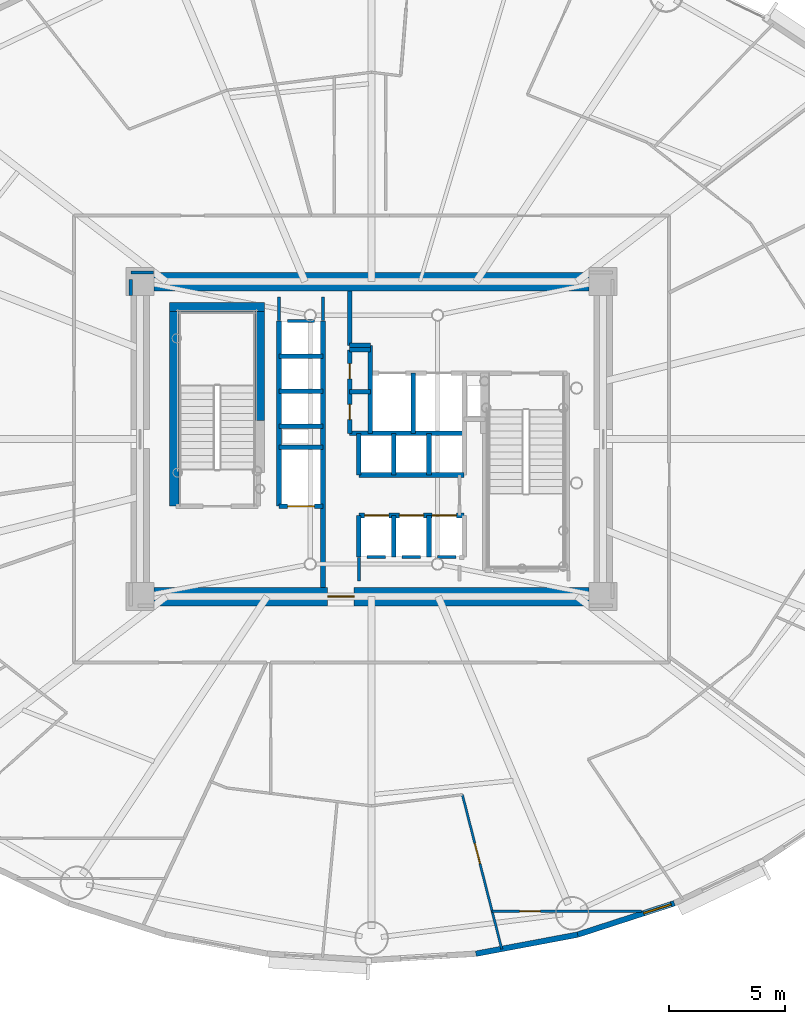
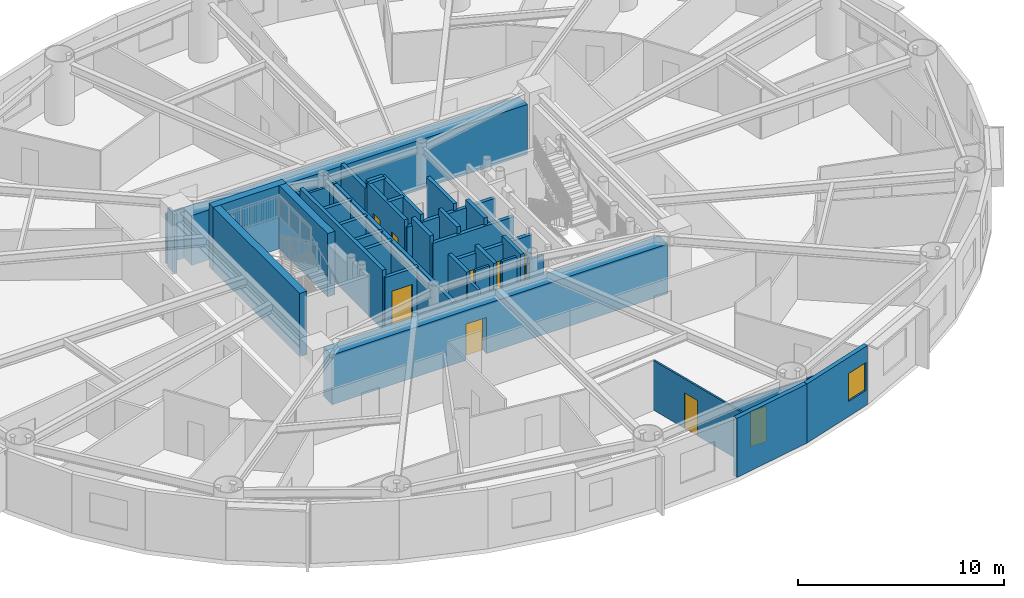
# One storey, part 8 of 16: 41 walls, 9 doors, 1 window, 10 openings.
"""IFC4 building model written with IfcOpenShell, lengths in metres."""

from ifc_helpers import new_model, si_unit, direction, frame, frame_2d, origin, origin_2d, place, context, subcontext, project, spatial, rectangle, extrude, source, transform, mapped, material, layer, layer_set, type_object, element, fill, save


model = new_model("IFC4")

# Units and contexts
model_context = context("Model", 3, precision=1e-05, world=origin(), true_north=direction((0.0, 1.0)))
body_context = subcontext(model_context, "Body", "Model", "MODEL_VIEW")
ifc_project = project(units=[si_unit("LENGTHUNIT", "METRE"), si_unit("AREAUNIT", "SQUARE_METRE"), si_unit("VOLUMEUNIT", "CUBIC_METRE"), si_unit("PLANEANGLEUNIT", "RADIAN"), si_unit("MASSUNIT", "GRAM", prefix="KILO")], contexts=[model_context])

# Site, building, storey
site_placement = place(None, origin())
site = spatial("IfcSite", under=ifc_project, at=site_placement, CompositionType="ELEMENT")
building_placement = place(site_placement, origin())
building = spatial("IfcBuilding", under=site, at=building_placement, Name="Linh Dai School and Residence Tower", CompositionType="ELEMENT")
storey_placement = place(building_placement, frame((0.0, 0.0, 138.449951171875)))
storey = spatial("IfcBuildingStorey", under=building, at=storey_placement, Name="L33", CompositionType="ELEMENT", Elevation=138.449951171875)

# Wall
ifc_material_1 = material(Name="Precast Concrete B45 (C35/45)", Category="concrete")
ifc_layer_1 = layer(ifc_material_1, 0.239990234375)
ifc_layer_set_1 = layer_set([ifc_layer_1], Name="Precast Concrete B45 (C35/45)")
wall_type_1 = type_object("IfcWallType", Name="EW-TC-240", PredefinedType="SOLIDWALL", material=ifc_layer_set_1)
wall_1_placement = place(storey_placement, frame((44.899658203125, 5.5986328125, 0.0), z_axis=(0.0, 0.0, 1.0), x_axis=(-0.982789252177, -0.184730305596, 0.0)))
element("IfcWall", 1, at=wall_1_placement, inside=storey, type_object=wall_type_1, Name="L33 Terracotta Exterior Wall 32", PredefinedType="SOLIDWALL", context=body_context, shape_type="SweptSolid", body=[
    extrude(rectangle(XDim=4.470947265625, YDim=0.239990234375, at=frame_2d((2.2353515625, 0.0))), origin(), (0.0, 0.0, 1.0), 3.5),
])

# Wall, opening, window
wall_2_placement = place(storey_placement, frame((49.073974609375, 6.95263671875, 0.0), z_axis=(0.0, 0.0, 1.0), x_axis=(-0.951211346073, -0.308540070495, 0.0)))
wall_2 = element("IfcWall", 2, at=wall_2_placement, inside=storey, type_object=wall_type_1, Name="L33 Terracotta Exterior Wall 33", PredefinedType="SOLIDWALL", context=body_context, shape_type="SweptSolid", body=[
    extrude(rectangle(XDim=4.388427734375, YDim=0.239990234375, at=frame_2d((2.1943359375, 0.0))), origin(), (0.0, 0.0, 1.0), 3.5),
])
opening_1_placement = place(wall_2_placement, frame((0.139892578125, 0.0, 0.89990234375)))
opening_1 = element("IfcOpeningElement", 3, at=opening_1_placement, cuts=wall_2, Name="Opening W3", PredefinedType="OPENING", context=body_context, shape_type="SweptSolid", body=[
    extrude(rectangle(XDim=1.25, YDim=1.64990234375, at=origin_2d()), frame((0.625, 0.1298828125, 0.824951171875), z_axis=(0.0, -1.0, 0.0), x_axis=(1.0, 0.0, 0.0)), (0.0, 0.0, 1.0), 0.260009765625),
])
ifc_material_2 = material(Name="Double Low-E Insulated Glazing", Category="glass")
window_type = type_object("IfcWindowType", Name="WN-RES-1250x1650", PartitioningType="SINGLE_PANEL", PredefinedType="WINDOW", material=ifc_material_2)
shared_shape_1 = source(origin(), body_context, "Body", "SweptSolid", [
    extrude(rectangle(XDim=1.25, YDim=1.64990234375, at=origin_2d()), frame((0.625, 0.030029296875, 0.824951171875), z_axis=(0.0, -1.0, 0.0), x_axis=(1.0, 0.0, 0.0)), (0.0, 0.0, 1.0), 0.06005859375),
])
window_placement = place(opening_1_placement, origin())
window = element("IfcWindow", 4, at=window_placement, inside=storey, type_object=window_type, Name="L33 Dwelling Window U3302-LIV", OverallHeight=1.64990234375, OverallWidth=1.25, PartitioningType="SINGLE_PANEL", PredefinedType="WINDOW", context=body_context, shape_type="MappedRepresentation", body=[
    mapped(shared_shape_1, transform((0.0, 0.0, 0.0), x_axis=(1.0, 0.0, 0.0), y_axis=(0.0, 1.0, 0.0), z_axis=(0.0, 0.0, 1.0), scale=1.0)),
])
fill(opening_1, window)

# Walls
ifc_material_3 = material(Name="Autoclaved Aerated Concrete Blockwork", Category="masonry")
ifc_layer_2 = layer(ifc_material_3, 0.135009765625)
ifc_layer_set_2 = layer_set([ifc_layer_2], Name="Autoclaved Aerated Concrete Blockwork")
wall_type_2 = type_object("IfcWallType", Name="IW-CORR-135-EI90", PredefinedType="PARTITIONING", material=ifc_layer_set_2)
wall_3_placement = place(storey_placement, frame((36.60009765625, 21.89990234375, 0.0), z_axis=(0.0, 0.0, 1.0), x_axis=(-1.0, 0.0, 0.0)))
element("IfcWall", 5, at=wall_3_placement, inside=storey, type_object=wall_type_2, Name="L33 Interior Partition Wall 091", PredefinedType="PARTITIONING", context=body_context, shape_type="SweptSolid", body=[
    extrude(rectangle(XDim=0.7900390625, YDim=0.135009765625, at=frame_2d((0.39501953125, 0.0))), origin(), (0.0, 0.0, 1.0), 3.5),
])
wall_4_placement = place(storey_placement, frame((38.1201171875, 21.89990234375, 0.0), z_axis=(0.0, 0.0, 1.0), x_axis=(-1.0, 0.0, 0.0)))
element("IfcWall", 6, at=wall_4_placement, inside=storey, type_object=wall_type_2, Name="L33 Interior Partition Wall 092", PredefinedType="PARTITIONING", context=body_context, shape_type="SweptSolid", body=[
    extrude(rectangle(XDim=0.800048828125, YDim=0.135009765625, at=frame_2d((0.39990234375, 0.0))), origin(), (0.0, 0.0, 1.0), 3.5),
])
wall_5_placement = place(storey_placement, frame((39.639892578125, 21.89990234375, 0.0), z_axis=(0.0, 0.0, 1.0), x_axis=(-1.0, 0.0, 0.0)))
element("IfcWall", 7, at=wall_5_placement, inside=storey, type_object=wall_type_2, Name="L33 Interior Partition Wall 093", PredefinedType="PARTITIONING", context=body_context, shape_type="SweptSolid", body=[
    extrude(rectangle(XDim=0.7998046875, YDim=0.135009765625, at=frame_2d((0.39990234375, 0.0))), origin(), (0.0, 0.0, 1.0), 3.0849609375),
])
wall_6_placement = place(storey_placement, frame((32.360107421875, 32.10009765625, 0.0), z_axis=(0.0, 0.0, 1.0), x_axis=(1.0, 0.0, 0.0)))
element("IfcWall", 8, at=wall_6_placement, inside=storey, type_object=wall_type_2, Name="L33 Interior Partition Wall 094", PredefinedType="PARTITIONING", context=body_context, shape_type="SweptSolid", body=[
    extrude(rectangle(XDim=1.179931640625, YDim=0.135009765625, at=frame_2d((0.58984375, 0.0))), origin(), (0.0, 0.0, 1.0), 3.0849609375),
])
wall_7_placement = place(storey_placement, frame((32.0, 33.139892578125, 0.0), z_axis=(0.0, 0.0, 1.0), x_axis=(0.0, -1.0, 0.0)))
element("IfcWall", 9, at=wall_7_placement, inside=storey, type_object=wall_type_2, Name="L33 Interior Partition Wall 096", PredefinedType="PARTITIONING", context=body_context, shape_type="SweptSolid", body=[
    extrude(rectangle(XDim=1.02978515625, YDim=0.135009765625, at=frame_2d((0.514892578125, 0.0))), origin(), (0.0, 0.0, 1.0), 3.03515625),
])
for number, where, z_axis, x_axis, name in (
    (10, (35.449951171875, 21.889892578125, 0.0), (0.0, 0.0, 1.0), (0.0, -1.0, 0.0), "L33 Interior Partition Wall 098"),
    (11, (33.89990234375, 32.110107421875, 0.0), (0.0, 0.0, 1.0), (0.0, 1.0, 0.0), "L33 Interior Partition Wall 099"),
):
    element("IfcWall", number, at=place(storey_placement, frame(where, z_axis=z_axis, x_axis=x_axis)), inside=storey, type_object=wall_type_2, Name=name, PredefinedType="PARTITIONING", context=body_context, shape_type="SweptSolid", body=[
        extrude(rectangle(XDim=1.02978515625, YDim=0.135009765625, at=frame_2d((0.514892578125, 0.0))), origin(), (0.0, 0.0, 1.0), 3.0849609375),
    ])
wall_8_placement = place(storey_placement, frame((26.590087890625, 34.199951171875, 0.0), z_axis=(0.0, 0.0, 1.0), x_axis=(-1.0, 0.0, 0.0)))
element("IfcWall", 12, at=wall_8_placement, inside=storey, type_object=wall_type_2, Name="L33 Interior Partition Wall 103", PredefinedType="PARTITIONING", context=body_context, shape_type="SweptSolid", body=[
    extrude(rectangle(XDim=0.989990234375, YDim=0.135009765625, at=frame_2d((0.4951171875, 0.0))), origin(), (0.0, 0.0, 1.0), 2.93505859375),
])
wall_9_placement = place(storey_placement, frame((25.60009765625, 33.892578125, 0.0), z_axis=(0.0, 0.0, 1.0), x_axis=(0.0, -1.0, 0.0)))
element("IfcWall", 13, at=wall_9_placement, inside=storey, type_object=wall_type_2, Name="L33 Interior Partition Wall 104", PredefinedType="PARTITIONING", context=body_context, shape_type="SweptSolid", body=[
    extrude(rectangle(XDim=0.6826171875, YDim=0.135009765625, at=frame_2d((0.34130859375, 0.0))), origin(), (0.0, 0.0, 1.0), 3.5),
])
ifc_material_4 = material(Name="Concrete B45 (C35/45)", Category="concrete")
ifc_layer_3 = layer(ifc_material_4, 0.199951171875)
ifc_layer_set_3 = layer_set([ifc_layer_3], Name="Concrete B45 (C35/45)")
wall_type_3 = type_object("IfcWallType", Name="IW-SHAFT-200-EI120", PredefinedType="PARTITIONING", material=ifc_layer_set_3)
wall_10_placement = place(storey_placement, frame((32.0, 24.10009765625, 0.0), z_axis=(0.0, 0.0, 1.0), x_axis=(0.0, 1.0, 0.0)))
element("IfcWall", 14, at=wall_10_placement, inside=storey, type_object=wall_type_3, Name="L33 Interior Partition Wall 028", PredefinedType="PARTITIONING", context=body_context, shape_type="SweptSolid", body=[
    extrude(rectangle(XDim=8.0, YDim=0.199951171875, at=frame_2d((4.0, 0.0))), origin(), (0.0, 0.0, 1.0), 3.5),
])

# Wall, opening, door
wall_11_placement = place(storey_placement, frame((32.0, 24.10009765625, 0.0), z_axis=(0.0, 0.0, 1.0), x_axis=(1.0, 0.0, 0.0)))
wall_11 = element("IfcWall", 15, at=wall_11_placement, inside=storey, type_object=wall_type_3, Name="L33 Interior Partition Wall 029", PredefinedType="PARTITIONING", context=body_context, shape_type="SweptSolid", body=[
    extrude(rectangle(XDim=1.89990234375, YDim=0.199951171875, at=frame_2d((0.949951171875, 0.0))), origin(), (0.0, 0.0, 1.0), 3.0849609375),
])
opening_2_placement = place(wall_11_placement, frame((0.375, 0.0, 0.0)))
opening_2 = element("IfcOpeningElement", 16, at=opening_2_placement, cuts=wall_11, Name="Opening LD-FF2", PredefinedType="OPENING", context=body_context, shape_type="SweptSolid", body=[
    extrude(rectangle(XDim=1.14990234375, YDim=2.14990234375, at=origin_2d()), frame((0.574951171875, 0.10986328125, 1.074951171875), z_axis=(0.0, -1.0, 0.0), x_axis=(1.0, 0.0, 0.0)), (0.0, 0.0, 1.0), 0.219970703125),
])
ifc_material_5 = material(Name="Fire-Rated Stainless Steel Firefighting Lift Door", Category="steel")
door_type_1 = type_object("IfcDoorType", Name="DR-LD-FF-1150x2150-FD120", OperationType="DOUBLE_DOOR_SLIDING", PredefinedType="USERDEFINED", material=ifc_material_5)
shared_shape_2 = source(origin(), body_context, "Body", "SweptSolid", [
    extrude(rectangle(XDim=1.14990234375, YDim=2.14990234375, at=origin_2d()), frame((0.574951171875, 0.02490234375, 1.074951171875), z_axis=(0.0, -1.0, 0.0), x_axis=(1.0, 0.0, 0.0)), (0.0, 0.0, 1.0), 0.050048828125),
])
door_1_placement = place(opening_2_placement, origin())
door_1 = element("IfcDoor", 17, at=door_1_placement, inside=storey, type_object=door_type_1, Name="L33 Lift FF2 Sliding Landing Door", ObjectType="LANDING DOOR", OperationType="DOUBLE_DOOR_SLIDING", OverallHeight=2.14990234375, OverallWidth=1.14990234375, PredefinedType="USERDEFINED", context=body_context, shape_type="MappedRepresentation", body=[
    mapped(shared_shape_2, transform((0.0, 0.0, 0.0), x_axis=(1.0, 0.0, 0.0), y_axis=(0.0, 1.0, 0.0), z_axis=(0.0, 0.0, 1.0), scale=1.0)),
])
fill(opening_2, door_1)

# Walls
for number, where, z_axis, x_axis, name in (
    (18, (32.0, 26.64990234375, 0.0), (0.0, 0.0, 1.0), (1.0, 0.0, 0.0), "L33 Interior Partition Wall 030"),
    (19, (32.0, 27.550048828125, 0.0), (0.0, 0.0, 1.0), (1.0, 0.0, 0.0), "L33 Interior Partition Wall 031"),
    (20, (32.0, 29.06005859375, 0.0), (0.0, 0.0, 1.0), (1.0, 0.0, 0.0), "L33 Interior Partition Wall 032"),
    (21, (32.0, 30.580078125, 0.0), (0.0, 0.0, 1.0), (1.0, 0.0, 0.0), "L33 Interior Partition Wall 033"),
):
    element("IfcWall", number, at=place(storey_placement, frame(where, z_axis=z_axis, x_axis=x_axis)), inside=storey, type_object=wall_type_3, Name=name, PredefinedType="PARTITIONING", context=body_context, shape_type="SweptSolid", body=[
        extrude(rectangle(XDim=1.89990234375, YDim=0.199951171875, at=frame_2d((0.949951171875, 0.0))), origin(), (0.0, 0.0, 1.0), 3.0849609375),
    ])
wall_12_placement = place(storey_placement, frame((33.89990234375, 20.60009765625, 0.0), z_axis=(0.0, 0.0, 1.0), x_axis=(0.0, 1.0, 0.0)))
element("IfcWall", 22, at=wall_12_placement, inside=storey, type_object=wall_type_3, Name="L33 Interior Partition Wall 035", PredefinedType="PARTITIONING", context=body_context, shape_type="SweptSolid", body=[
    extrude(rectangle(XDim=11.5, YDim=0.199951171875, at=frame_2d((5.75, 0.0))), origin(), (0.0, 0.0, 1.0), 3.0849609375),
])

# Wall, openings, doors
wall_13_placement = place(storey_placement, frame((35.050048828125, 27.25, 0.0), z_axis=(0.0, 0.0, 1.0), x_axis=(0.0, 1.0, 0.0)))
wall_13 = element("IfcWall", 23, at=wall_13_placement, inside=storey, type_object=wall_type_3, Name="L33 Interior Partition Wall 037", PredefinedType="PARTITIONING", context=body_context, shape_type="SweptSolid", body=[
    extrude(rectangle(XDim=3.60009765625, YDim=0.199951171875, at=frame_2d((1.800048828125, 0.0))), origin(), (0.0, 0.0, 1.0), 3.5),
])
opening_3_placement = place(wall_13_placement, frame((0.590087890625, 0.0, 0.0)))
opening_3 = element("IfcOpeningElement", 24, at=opening_3_placement, cuts=wall_13, Name="Opening AD1", PredefinedType="OPENING", context=body_context, shape_type="SweptSolid", body=[
    extrude(rectangle(XDim=0.659912109375, YDim=2.050048828125, at=origin_2d()), frame((0.330078125, 0.10986328125, 1.02490234375), z_axis=(0.0, -1.0, 0.0), x_axis=(1.0, 0.0, 0.0)), (0.0, 0.0, 1.0), 0.219970703125),
])
opening_4_placement = place(wall_13_placement, frame((2.35009765625, 0.0, 0.0)))
opening_4 = element("IfcOpeningElement", 25, at=opening_4_placement, cuts=wall_13, Name="Opening AD1", PredefinedType="OPENING", context=body_context, shape_type="SweptSolid", body=[
    extrude(rectangle(XDim=0.659912109375, YDim=2.050048828125, at=origin_2d()), frame((0.330078125, 0.10986328125, 1.02490234375), z_axis=(0.0, -1.0, 0.0), x_axis=(1.0, 0.0, 0.0)), (0.0, 0.0, 1.0), 0.219970703125),
])
ifc_material_6 = material(Name="Fire-Rated Steel Riser Access Door", Category="steel")
door_type_2 = type_object("IfcDoorType", Name="DR-ACC-660x2050-FD90S", OperationType="NOTDEFINED", PredefinedType="USERDEFINED", material=ifc_material_6)
shared_shape_3 = source(origin(), body_context, "Body", "SweptSolid", [
    extrude(rectangle(XDim=0.659912109375, YDim=2.050048828125, at=origin_2d()), frame((0.330078125, 0.02490234375, 1.02490234375), z_axis=(0.0, -1.0, 0.0), x_axis=(1.0, 0.0, 0.0)), (0.0, 0.0, 1.0), 0.050048828125),
])
door_2_placement = place(opening_3_placement, origin())
door_2 = element("IfcDoor", 26, at=door_2_placement, inside=storey, type_object=door_type_2, Name="L33 Telecom and Data Riser Access Door", ObjectType="ACCESS DOOR", OperationType="SINGLE_SWING_RIGHT", OverallHeight=2.050048828125, OverallWidth=0.659912109375, PredefinedType="USERDEFINED", context=body_context, shape_type="MappedRepresentation", body=[
    mapped(shared_shape_3, transform((0.0, 0.0, 0.0), x_axis=(1.0, 0.0, 0.0), y_axis=(0.0, 1.0, 0.0), z_axis=(0.0, 0.0, 1.0), scale=1.0)),
])
fill(opening_3, door_2)
door_3_placement = place(opening_4_placement, origin())
door_3 = element("IfcDoor", 27, at=door_3_placement, inside=storey, type_object=door_type_2, Name="L33 Mechanical and Plumbing Riser Access Door", ObjectType="ACCESS DOOR", OperationType="SINGLE_SWING_LEFT", OverallHeight=2.050048828125, OverallWidth=0.659912109375, PredefinedType="USERDEFINED", context=body_context, shape_type="MappedRepresentation", body=[
    mapped(shared_shape_3, transform((0.0, 0.0, 0.0), x_axis=(1.0, 0.0, 0.0), y_axis=(0.0, 1.0, 0.0), z_axis=(0.0, 0.0, 1.0), scale=1.0)),
])
fill(opening_4, door_3)

# Walls
wall_14_placement = place(storey_placement, frame((35.050048828125, 27.25, 0.0), z_axis=(0.0, 0.0, 1.0), x_axis=(1.0, 0.0, 0.0)))
element("IfcWall", 28, at=wall_14_placement, inside=storey, type_object=wall_type_3, Name="L33 Interior Partition Wall 038", PredefinedType="PARTITIONING", context=body_context, shape_type="SweptSolid", body=[
    extrude(rectangle(XDim=4.949951171875, YDim=0.199951171875, at=frame_2d((2.47509765625, 0.0))), origin(), (0.0, 0.0, 1.0), 3.0849609375),
])
for number, where, z_axis, x_axis, name in (
    (29, (35.050048828125, 29.050048828125, 0.0), (0.0, 0.0, 1.0), (1.0, 0.0, 0.0), "L33 Interior Partition Wall 039"),
    (30, (35.050048828125, 30.85009765625, 0.0), (0.0, 0.0, 1.0), (1.0, 0.0, 0.0), "L33 Interior Partition Wall 040"),
):
    element("IfcWall", number, at=place(storey_placement, frame(where, z_axis=z_axis, x_axis=x_axis)), inside=storey, type_object=wall_type_3, Name=name, PredefinedType="PARTITIONING", context=body_context, shape_type="SweptSolid", body=[
        extrude(rectangle(XDim=0.89990234375, YDim=0.199951171875, at=frame_2d((0.449951171875, 0.0))), origin(), (0.0, 0.0, 1.0), 3.5),
    ])
wall_15_placement = place(storey_placement, frame((35.050048828125, 31.050048828125, 0.0), z_axis=(0.0, 0.0, 1.0), x_axis=(0.0, 1.0, 0.0)))
element("IfcWall", 31, at=wall_15_placement, inside=storey, type_object=wall_type_3, Name="L33 Interior Partition Wall 041", PredefinedType="PARTITIONING", context=body_context, shape_type="SweptSolid", body=[
    extrude(rectangle(XDim=2.349853515625, YDim=0.199951171875, at=frame_2d((1.1748046875, 0.0))), origin(), (0.0, 0.0, 1.0), 3.0849609375),
])
wall_16_placement = place(storey_placement, frame((35.050048828125, 31.050048828125, 0.0), z_axis=(0.0, 0.0, 1.0), x_axis=(1.0, 0.0, 0.0)))
element("IfcWall", 32, at=wall_16_placement, inside=storey, type_object=wall_type_3, Name="L33 Interior Partition Wall 042", PredefinedType="PARTITIONING", context=body_context, shape_type="SweptSolid", body=[
    extrude(rectangle(XDim=0.89990234375, YDim=0.199951171875, at=frame_2d((0.449951171875, 0.0))), origin(), (0.0, 0.0, 1.0), 3.5),
])
wall_17_placement = place(storey_placement, frame((35.449951171875, 21.89990234375, 0.0), z_axis=(0.0, 0.0, 1.0), x_axis=(0.0, 1.0, 0.0)))
element("IfcWall", 33, at=wall_17_placement, inside=storey, type_object=wall_type_3, Name="L33 Interior Partition Wall 043", PredefinedType="PARTITIONING", context=body_context, shape_type="SweptSolid", body=[
    extrude(rectangle(XDim=1.800048828125, YDim=0.199951171875, at=frame_2d((0.89990234375, 0.0))), origin(), (0.0, 0.0, 1.0), 3.5),
])

# Wall, openings, doors
wall_18_placement = place(storey_placement, frame((35.449951171875, 23.699951171875, 0.0), z_axis=(0.0, 0.0, 1.0), x_axis=(1.0, 0.0, 0.0)))
wall_18 = element("IfcWall", 34, at=wall_18_placement, inside=storey, type_object=wall_type_3, Name="L33 Interior Partition Wall 044", PredefinedType="PARTITIONING", context=body_context, shape_type="SweptSolid", body=[
    extrude(rectangle(XDim=4.550048828125, YDim=0.199951171875, at=frame_2d((2.27490234375, 0.0))), origin(), (0.0, 0.0, 1.0), 3.0849609375),
])
opening_5_placement = place(wall_18_placement, frame((0.25, 0.0, 0.0)))
opening_5 = element("IfcOpeningElement", 35, at=opening_5_placement, cuts=wall_18, Name="Opening LD-PL1", PredefinedType="OPENING", context=body_context, shape_type="SweptSolid", body=[
    extrude(rectangle(XDim=1.050048828125, YDim=2.14990234375, at=origin_2d()), frame((0.52490234375, 0.10986328125, 1.074951171875), z_axis=(0.0, -1.0, 0.0), x_axis=(1.0, 0.0, 0.0)), (0.0, 0.0, 1.0), 0.219970703125),
])
opening_6_placement = place(wall_18_placement, frame((1.7451171875, 0.0, 0.0)))
opening_6 = element("IfcOpeningElement", 36, at=opening_6_placement, cuts=wall_18, Name="Opening LD-PL2", PredefinedType="OPENING", context=body_context, shape_type="SweptSolid", body=[
    extrude(rectangle(XDim=1.050048828125, YDim=2.14990234375, at=origin_2d()), frame((0.52490234375, 0.10986328125, 1.074951171875), z_axis=(0.0, -1.0, 0.0), x_axis=(1.0, 0.0, 0.0)), (0.0, 0.0, 1.0), 0.219970703125),
])
opening_7_placement = place(wall_18_placement, frame((3.1650390625, 0.0, 0.0)))
opening_7 = element("IfcOpeningElement", 37, at=opening_7_placement, cuts=wall_18, Name="Opening LD-PL3", PredefinedType="OPENING", context=body_context, shape_type="SweptSolid", body=[
    extrude(rectangle(XDim=1.050048828125, YDim=2.14990234375, at=origin_2d()), frame((0.52490234375, 0.10986328125, 1.074951171875), z_axis=(0.0, -1.0, 0.0), x_axis=(1.0, 0.0, 0.0)), (0.0, 0.0, 1.0), 0.219970703125),
])
ifc_material_7 = material(Name="Brushed Stainless Steel Lift Landing Door", Category="steel")
door_type_3 = type_object("IfcDoorType", Name="DR-LD-PASS-1050x2150", OperationType="DOUBLE_DOOR_SLIDING", PredefinedType="USERDEFINED", material=ifc_material_7)
shared_shape_4 = source(origin(), body_context, "Body", "SweptSolid", [
    extrude(rectangle(XDim=1.050048828125, YDim=2.14990234375, at=origin_2d()), frame((0.52490234375, 0.02490234375, 1.074951171875), z_axis=(0.0, -1.0, 0.0), x_axis=(1.0, 0.0, 0.0)), (0.0, 0.0, 1.0), 0.050048828125),
])
door_4_placement = place(opening_5_placement, origin())
door_4 = element("IfcDoor", 38, at=door_4_placement, inside=storey, type_object=door_type_3, Name="L33 Lift PL1 Sliding Landing Door", ObjectType="LANDING DOOR", OperationType="DOUBLE_DOOR_SLIDING", OverallHeight=2.14990234375, OverallWidth=1.050048828125, PredefinedType="USERDEFINED", context=body_context, shape_type="MappedRepresentation", body=[
    mapped(shared_shape_4, transform((0.0, 0.0, 0.0), x_axis=(1.0, 0.0, 0.0), y_axis=(0.0, 1.0, 0.0), z_axis=(0.0, 0.0, 1.0), scale=1.0)),
])
fill(opening_5, door_4)
door_5_placement = place(opening_6_placement, origin())
door_5 = element("IfcDoor", 39, at=door_5_placement, inside=storey, type_object=door_type_3, Name="L33 Lift PL2 Sliding Landing Door", ObjectType="LANDING DOOR", OperationType="DOUBLE_DOOR_SLIDING", OverallHeight=2.14990234375, OverallWidth=1.050048828125, PredefinedType="USERDEFINED", context=body_context, shape_type="MappedRepresentation", body=[
    mapped(shared_shape_4, transform((0.0, 0.0, 0.0), x_axis=(1.0, 0.0, 0.0), y_axis=(0.0, 1.0, 0.0), z_axis=(0.0, 0.0, 1.0), scale=1.0)),
])
fill(opening_6, door_5)
door_6_placement = place(opening_7_placement, origin())
door_6 = element("IfcDoor", 40, at=door_6_placement, inside=storey, type_object=door_type_3, Name="L33 Lift PL3 Sliding Landing Door", ObjectType="LANDING DOOR", OperationType="DOUBLE_DOOR_SLIDING", OverallHeight=2.14990234375, OverallWidth=1.050048828125, PredefinedType="USERDEFINED", context=body_context, shape_type="MappedRepresentation", body=[
    mapped(shared_shape_4, transform((0.0, 0.0, 0.0), x_axis=(1.0, 0.0, 0.0), y_axis=(0.0, 1.0, 0.0), z_axis=(0.0, 0.0, 1.0), scale=1.0)),
])
fill(opening_7, door_6)

# Walls
wall_19_placement = place(storey_placement, frame((35.449951171875, 25.449951171875, 0.0), z_axis=(0.0, 0.0, 1.0), x_axis=(0.0, 1.0, 0.0)))
element("IfcWall", 41, at=wall_19_placement, inside=storey, type_object=wall_type_3, Name="L33 Interior Partition Wall 045", PredefinedType="PARTITIONING", context=body_context, shape_type="SweptSolid", body=[
    extrude(rectangle(XDim=1.800048828125, YDim=0.199951171875, at=frame_2d((0.89990234375, 0.0))), origin(), (0.0, 0.0, 1.0), 3.5),
])
wall_20_placement = place(storey_placement, frame((35.449951171875, 25.449951171875, 0.0), z_axis=(0.0, 0.0, 1.0), x_axis=(1.0, 0.0, 0.0)))
element("IfcWall", 42, at=wall_20_placement, inside=storey, type_object=wall_type_3, Name="L33 Interior Partition Wall 046", PredefinedType="PARTITIONING", context=body_context, shape_type="SweptSolid", body=[
    extrude(rectangle(XDim=4.550048828125, YDim=0.199951171875, at=frame_2d((2.27490234375, 0.0))), origin(), (0.0, 0.0, 1.0), 3.0849609375),
])
wall_21_placement = place(storey_placement, frame((35.949951171875, 27.25, 0.0), z_axis=(0.0, 0.0, 1.0), x_axis=(0.0, 1.0, 0.0)))
element("IfcWall", 43, at=wall_21_placement, inside=storey, type_object=wall_type_3, Name="L33 Interior Partition Wall 047", PredefinedType="PARTITIONING", context=body_context, shape_type="SweptSolid", body=[
    extrude(rectangle(XDim=3.800048828125, YDim=0.199951171875, at=frame_2d((1.89990234375, 0.0))), origin(), (0.0, 0.0, 1.0), 3.5),
])
for number, where, z_axis, x_axis, name in (
    (44, (36.9599609375, 21.89990234375, 0.0), (0.0, 0.0, 1.0), (0.0, 1.0, 0.0), "L33 Interior Partition Wall 053"),
    (45, (36.9599609375, 25.449951171875, 0.0), (0.0, 0.0, 1.0), (0.0, 1.0, 0.0), "L33 Interior Partition Wall 054"),
):
    element("IfcWall", number, at=place(storey_placement, frame(where, z_axis=z_axis, x_axis=x_axis)), inside=storey, type_object=wall_type_3, Name=name, PredefinedType="PARTITIONING", context=body_context, shape_type="SweptSolid", body=[
        extrude(rectangle(XDim=1.800048828125, YDim=0.199951171875, at=frame_2d((0.89990234375, 0.0))), origin(), (0.0, 0.0, 1.0), 3.5),
    ])
wall_22_placement = place(storey_placement, frame((37.800048828125, 27.25, 0.0), z_axis=(0.0, 0.0, 1.0), x_axis=(0.0, 1.0, 0.0)))
element("IfcWall", 46, at=wall_22_placement, inside=storey, type_object=wall_type_3, Name="L33 Interior Partition Wall 056", PredefinedType="PARTITIONING", context=body_context, shape_type="SweptSolid", body=[
    extrude(rectangle(XDim=2.60009765625, YDim=0.199951171875, at=frame_2d((1.300048828125, 0.0))), origin(), (0.0, 0.0, 1.0), 3.5),
])
for number, where, z_axis, x_axis, name in (
    (47, (38.47998046875, 21.89990234375, 0.0), (0.0, 0.0, 1.0), (0.0, 1.0, 0.0), "L33 Interior Partition Wall 058"),
    (48, (38.47998046875, 25.449951171875, 0.0), (0.0, 0.0, 1.0), (0.0, 1.0, 0.0), "L33 Interior Partition Wall 059"),
):
    element("IfcWall", number, at=place(storey_placement, frame(where, z_axis=z_axis, x_axis=x_axis)), inside=storey, type_object=wall_type_3, Name=name, PredefinedType="PARTITIONING", context=body_context, shape_type="SweptSolid", body=[
        extrude(rectangle(XDim=1.800048828125, YDim=0.199951171875, at=frame_2d((0.89990234375, 0.0))), origin(), (0.0, 0.0, 1.0), 3.5),
    ])

# Wall, opening, door
ifc_material_8 = material(Name="Gypsum Plasterboard Acoustic Stud Partition", Category="masonry")
ifc_layer_4 = layer(ifc_material_8, 0.10009765625)
ifc_layer_set_4 = layer_set([ifc_layer_4], Name="Gypsum Plasterboard Acoustic Stud Partition")
wall_type_4 = type_object("IfcWallType", Name="IW-UNIT-100", PredefinedType="PARTITIONING", material=ifc_layer_set_4)
wall_23_placement = place(storey_placement, frame((39.92041015625, 11.645263671875, 0.0), z_axis=(0.0, 0.0, 1.0), x_axis=(0.24735773306, -0.968924224021, 0.0)))
wall_23 = element("IfcWall", 49, at=wall_23_placement, inside=storey, type_object=wall_type_4, Name="L33 Interior Partition Wall 062", PredefinedType="PARTITIONING", context=body_context, shape_type="SweptSolid", body=[
    extrude(rectangle(XDim=6.88134765625, YDim=0.10009765625, at=frame_2d((3.440673828125, 0.0))), origin(), (0.0, 0.0, 1.0), 2.93505859375),
])
opening_8_placement = place(wall_23_placement, frame((2.172119140625, 0.0, 0.0)))
opening_8 = element("IfcOpeningElement", 50, at=opening_8_placement, cuts=wall_23, Name="Opening D05", PredefinedType="OPENING", context=body_context, shape_type="SweptSolid", body=[
    extrude(rectangle(XDim=0.89990234375, YDim=2.10009765625, at=origin_2d()), frame((0.449951171875, 0.06005859375, 1.050048828125), z_axis=(0.0, -1.0, 0.0), x_axis=(1.0, 0.0, 0.0)), (0.0, 0.0, 1.0), 0.1201171875),
])
ifc_material_9 = material(Name="Engineered Timber Internal Door", Category="wood")
door_type_4 = type_object("IfcDoorType", Name="DR-INT-900x2100", OperationType="NOTDEFINED", PredefinedType="DOOR", material=ifc_material_9)
shared_shape_5 = source(origin(), body_context, "Body", "SweptSolid", [
    extrude(rectangle(XDim=0.89990234375, YDim=2.10009765625, at=origin_2d()), frame((0.449951171875, 0.02490234375, 1.050048828125), z_axis=(0.0, -1.0, 0.0), x_axis=(1.0, 0.0, 0.0)), (0.0, 0.0, 1.0), 0.050048828125),
])
door_7_placement = place(opening_8_placement, origin())
door_7 = element("IfcDoor", 51, at=door_7_placement, inside=storey, type_object=door_type_4, Name="L33 Apartment U3302 Principal Bedroom 2 Door", OperationType="SINGLE_SWING_RIGHT", OverallHeight=2.10009765625, OverallWidth=0.89990234375, PredefinedType="DOOR", context=body_context, shape_type="MappedRepresentation", body=[
    mapped(shared_shape_5, transform((0.0, 0.0, 0.0), x_axis=(1.0, 0.0, 0.0), y_axis=(0.0, 1.0, 0.0), z_axis=(0.0, 0.0, 1.0), scale=1.0)),
])
fill(opening_8, door_7)

wall_24_placement = place(storey_placement, frame((41.207763671875, 6.6025390625, 0.0), z_axis=(0.0, 0.0, 1.0), x_axis=(1.0, 0.0, 0.0)))
wall_24 = element("IfcWall", 52, at=wall_24_placement, inside=storey, type_object=wall_type_4, Name="L33 Interior Partition Wall 068", PredefinedType="PARTITIONING", context=body_context, shape_type="SweptSolid", body=[
    extrude(rectangle(XDim=6.453125, YDim=0.10009765625, at=frame_2d((3.2265625, 0.0))), origin(), (0.0, 0.0, 1.0), 2.93505859375),
])
opening_9_placement = place(wall_24_placement, frame((1.1826171875, 0.0, 0.0)))
opening_9 = element("IfcOpeningElement", 53, at=opening_9_placement, cuts=wall_24, Name="Opening D05", PredefinedType="OPENING", context=body_context, shape_type="SweptSolid", body=[
    extrude(rectangle(XDim=0.89990234375, YDim=2.10009765625, at=origin_2d()), frame((0.449951171875, 0.06005859375, 1.050048828125), z_axis=(0.0, -1.0, 0.0), x_axis=(1.0, 0.0, 0.0)), (0.0, 0.0, 1.0), 0.1201171875),
])
door_8_placement = place(opening_9_placement, origin())
door_8 = element("IfcDoor", 54, at=door_8_placement, inside=storey, type_object=door_type_4, Name="L33 Apartment U3302 Kitchen Door", OperationType="SINGLE_SWING_LEFT", OverallHeight=2.10009765625, OverallWidth=0.89990234375, PredefinedType="DOOR", context=body_context, shape_type="MappedRepresentation", body=[
    mapped(shared_shape_5, transform((0.0, 0.0, 0.0), x_axis=(1.0, 0.0, 0.0), y_axis=(0.0, 1.0, 0.0), z_axis=(0.0, 0.0, 1.0), scale=1.0)),
])
fill(opening_9, door_8)

# Walls
ifc_layer_5 = layer(ifc_material_4, 0.39990234375)
ifc_layer_set_5 = layer_set([ifc_layer_5], Name="Concrete B45 (C35/45)")
wall_type_5 = type_object("IfcWallType", Name="WL-CORE400", PredefinedType="SHEAR", material=ifc_layer_set_5)
wall_25_placement = place(storey_placement, frame((27.47998046875, 24.10009765625, 0.0), z_axis=(0.0, 0.0, 1.0), x_axis=(0.0, 1.0, 0.0)))
element("IfcWall", 55, at=wall_25_placement, inside=storey, type_object=wall_type_5, Name="L33 Core Stair ST1 Bearing Wall W", PredefinedType="SHEAR", context=body_context, shape_type="SweptSolid", body=[
    extrude(rectangle(XDim=8.599853515625, YDim=0.39990234375, at=frame_2d((4.2998046875, 0.0))), origin(), (0.0, 0.0, 1.0), 3.75),
])
wall_26_placement = place(storey_placement, frame((31.179931640625, 27.800048828125, 0.0), z_axis=(0.0, 0.0, 1.0), x_axis=(0.0, 1.0, 0.0)))
element("IfcWall", 56, at=wall_26_placement, inside=storey, type_object=wall_type_5, Name="L33 Core Stair ST1 Bearing Wall E", PredefinedType="SHEAR", context=body_context, shape_type="SweptSolid", body=[
    extrude(rectangle(XDim=4.89990234375, YDim=0.39990234375, at=frame_2d((2.449951171875, 0.0))), origin(), (0.0, 0.0, 1.0), 3.75),
])
wall_27_placement = place(storey_placement, frame((27.280029296875, 32.699951171875, 0.0), z_axis=(0.0, 0.0, 1.0), x_axis=(1.0, 0.0, 0.0)))
element("IfcWall", 57, at=wall_27_placement, inside=storey, type_object=wall_type_5, Name="L33 Core Stair ST1 Bearing Wall N", PredefinedType="SHEAR", context=body_context, shape_type="SweptSolid", body=[
    extrude(rectangle(XDim=4.099853515625, YDim=0.39990234375, at=frame_2d((2.0498046875, 0.0))), origin(), (0.0, 0.0, 1.0), 3.75),
])
ifc_material_10 = material(Name="Concrete B60 (C50/60)", Category="concrete")
ifc_layer_6 = layer(ifc_material_10, 0.800048828125)
ifc_layer_set_6 = layer_set([ifc_layer_6], Name="Concrete B60 (C50/60)")
wall_type_6 = type_object("IfcWallType", Name="WL-CORE800", PredefinedType="SHEAR", material=ifc_layer_set_6)
wall_28_placement = place(storey_placement, frame((26.60009765625, 33.800048828125, 0.0), z_axis=(0.0, 0.0, 1.0), x_axis=(1.0, 0.0, 0.0)))
element("IfcWall", 58, at=wall_28_placement, inside=storey, type_object=wall_type_6, Name="L33 Central Core Shear Wall N", PredefinedType="SHEAR", context=body_context, shape_type="SweptSolid", body=[
    extrude(rectangle(XDim=18.7998046875, YDim=0.800048828125, at=frame_2d((9.39990234375, 0.0))), origin(), (0.0, 0.0, 1.0), 2.949951171875),
])

# Wall, opening, door
wall_29_placement = place(storey_placement, frame((45.39990234375, 20.199951171875, 0.0), z_axis=(0.0, 0.0, 1.0), x_axis=(-1.0, 0.0, 0.0)))
wall_29 = element("IfcWall", 59, at=wall_29_placement, inside=storey, type_object=wall_type_6, Name="L33 Central Core Shear Wall S", PredefinedType="SHEAR", context=body_context, shape_type="SweptSolid", body=[
    extrude(rectangle(XDim=18.7998046875, YDim=0.800048828125, at=frame_2d((9.39990234375, 0.0))), origin(), (0.0, 0.0, 1.0), 2.949951171875),
])
opening_10_placement = place(wall_29_placement, frame((10.14990234375, 0.0, 0.0)))
opening_10 = element("IfcOpeningElement", 60, at=opening_10_placement, cuts=wall_29, Name="Opening D02", PredefinedType="OPENING", context=body_context, shape_type="SweptSolid", body=[
    extrude(rectangle(XDim=1.14990234375, YDim=2.14990234375, at=origin_2d()), frame((0.574951171875, 0.41015625, 1.074951171875), z_axis=(0.0, -1.0, 0.0), x_axis=(1.0, 0.0, 0.0)), (0.0, 0.0, 1.0), 0.820068359375),
])
ifc_material_11 = material(Name="Fire-Rated Glazed Steel Lobby Door", Category="steel")
door_type_5 = type_object("IfcDoorType", Name="DR-LOBBY-1150x2150-FD90S", OperationType="NOTDEFINED", PredefinedType="DOOR", material=ifc_material_11)
shared_shape_6 = source(origin(), body_context, "Body", "SweptSolid", [
    extrude(rectangle(XDim=1.14990234375, YDim=2.14990234375, at=origin_2d()), frame((0.574951171875, 0.02490234375, 1.074951171875), z_axis=(0.0, -1.0, 0.0), x_axis=(1.0, 0.0, 0.0)), (0.0, 0.0, 1.0), 0.050048828125),
])
door_9_placement = place(opening_10_placement, origin())
door_9 = element("IfcDoor", 61, at=door_9_placement, inside=storey, type_object=door_type_5, Name="L33 Passenger Foyer Access Door", OperationType="SINGLE_SWING_RIGHT", OverallHeight=2.14990234375, OverallWidth=1.14990234375, PredefinedType="DOOR", context=body_context, shape_type="MappedRepresentation", body=[
    mapped(shared_shape_6, transform((0.0, 0.0, 0.0), x_axis=(1.0, 0.0, 0.0), y_axis=(0.0, 1.0, 0.0), z_axis=(0.0, 0.0, 1.0), scale=1.0)),
])
fill(opening_10, door_9)

save(model, "model.ifc")
